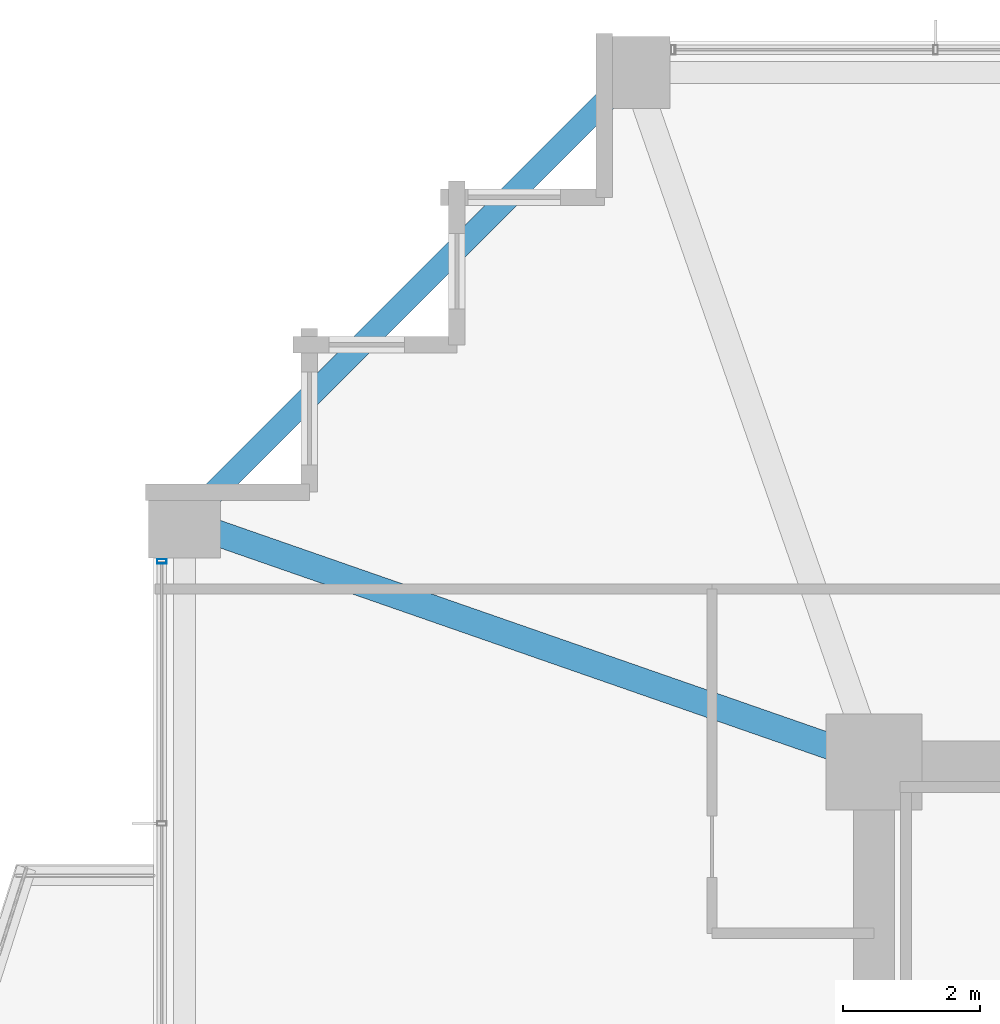
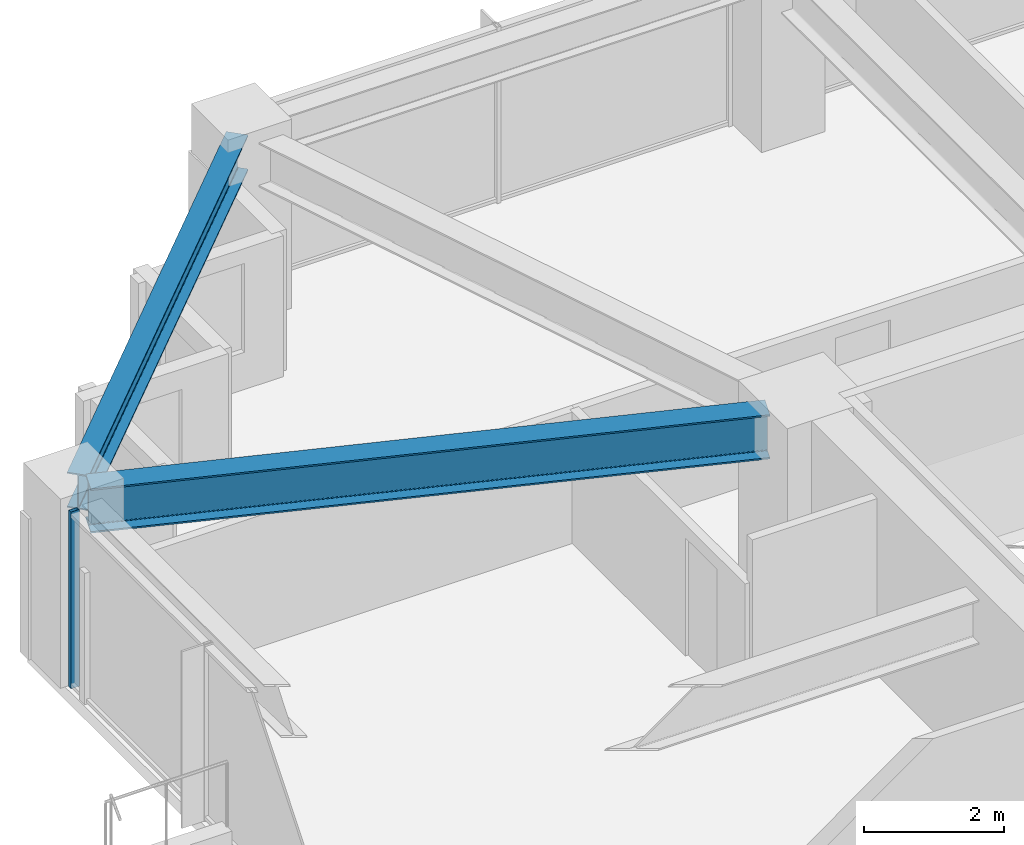
# One storey, part 19 of 36: 2 beams, 1 member, 1 element without a shape of its own.
"""IFC4 building model written with IfcOpenShell, lengths in metres."""

from ifc_helpers import new_model, si_unit, direction, frame, origin, origin_2d, place, context, subcontext, project, spatial, hollow_rectangle, i_section, extrude, material, material_profile, profile_set, type_object, element, aggregate, save


model = new_model("IFC4")

# Units and contexts
model_context = context("Model", 3, precision=1e-05, world=origin(), true_north=direction((0.0, 1.0)))
body_context = subcontext(model_context, "Body", "Model", "MODEL_VIEW")
ifc_project = project(units=[si_unit("LENGTHUNIT", "METRE"), si_unit("AREAUNIT", "SQUARE_METRE"), si_unit("VOLUMEUNIT", "CUBIC_METRE"), si_unit("PLANEANGLEUNIT", "RADIAN"), si_unit("MASSUNIT", "GRAM", prefix="KILO")], contexts=[model_context])

# Site, building, storey
site_placement = place(None, origin())
site = spatial("IfcSite", under=ifc_project, at=site_placement, CompositionType="ELEMENT")
building_placement = place(site_placement, origin())
building = spatial("IfcBuilding", under=site, at=building_placement, Name="Kolvaren Belvedere", CompositionType="ELEMENT")
storey_placement = place(building_placement, frame((0.0, 0.0, 88.699951171875)))
storey = spatial("IfcBuildingStorey", under=building, at=storey_placement, Name="L25", CompositionType="ELEMENT", Elevation=88.699951171875)

# Beams
ifc_material_1 = material(Name="Structural steel ASTM A992 Grade 50", Category="steel")
ifc_material_profile_1 = material_profile(ifc_material_1, i_section(OverallWidth=0.381103515625, OverallDepth=0.77294921875, WebThickness=0.0166015625, FlangeThickness=0.027099609375, FilletRadius=0.02392578125, at=origin_2d()), Name="W30X173")
ifc_profile_set_1 = profile_set([ifc_material_profile_1], Name="Structural steel ASTM A992 Grade 50")
beam_type_1 = type_object("IfcBeamType", Name="BM-GIRD-W30X173", PredefinedType="BEAM", material=ifc_profile_set_1)
beam_1_placement = place(storey_placement, frame((-10.41943359375, 10.080810546875, 2.693603515625), z_axis=(-0.944371408538, 0.328880894453, 0.0), x_axis=(-0.328880894453, -0.944371408538, 0.0)))
element("IfcBeam", 1, at=beam_1_placement, inside=storey, type_object=beam_type_1, Name="L25 Corner Core-to-Perimeter Girder CC4-W4", PredefinedType="BEAM", context=body_context, shape_type="SweptSolid", body=[
    extrude(i_section(OverallWidth=0.381103515625, OverallDepth=0.77294921875, WebThickness=0.0166015625, FlangeThickness=0.027099609375, FilletRadius=0.02392578125, at=origin_2d()), origin(), (0.0, 0.0, 1.0), 9.882080078125),
])
ifc_material_2 = material(Name="Structural steel ASTM A992 Grade 50", Category="steel")
ifc_material_profile_2 = material_profile(ifc_material_2, i_section(OverallWidth=0.324951171875, OverallDepth=0.615966796875, WebThickness=0.013916015625, FlangeThickness=0.021484375, FilletRadius=0.02001953125, at=origin_2d()), Name="W24X117")
ifc_profile_set_2 = profile_set([ifc_material_profile_2], Name="Structural steel ASTM A992 Grade 50")
beam_type_2 = type_object("IfcBeamType", Name="BM-SPAN-W24X117", PredefinedType="SPANDREL", material=ifc_profile_set_2)
beam_2_placement = place(storey_placement, frame((-13.567138671875, 19.782958984375, 2.77197265625), z_axis=(-0.707106781187, -0.707106781187, 0.0), x_axis=(0.707106781187, -0.707106781187, 0.0)))
element("IfcBeam", 2, at=beam_2_placement, inside=storey, type_object=beam_type_2, Name="L25 Perimeter Spandrel N1-W4", PredefinedType="SPANDREL", context=body_context, shape_type="SweptSolid", body=[
    extrude(i_section(OverallWidth=0.324951171875, OverallDepth=0.615966796875, WebThickness=0.013916015625, FlangeThickness=0.021484375, FilletRadius=0.02001953125, at=origin_2d()), origin(), (0.0, 0.0, 1.0), 8.79052734375),
])

# Curtain wall, member
ifc_material_3 = material(Name="Anodised pale-metal aluminium AA 6063-T6", Category="aluminium")
curtain_wall_type = type_object("IfcCurtainWallType", Name="CW-Z2-MID", PredefinedType="NOTDEFINED", material=ifc_material_3)
curtain_wall_placement = place(storey_placement, origin())
curtain_wall = element("IfcCurtainWall", 3, at=curtain_wall_placement, inside=storey, type_object=curtain_wall_type, Name="L25 Unitised Curtain Wall FCW-L25-W2-B2", PredefinedType="NOTDEFINED")
ifc_material_4 = material(Name="Anodised pale-metal aluminium AA 6063-T6", Category="aluminium")
ifc_material_profile_3 = material_profile(ifc_material_4, hollow_rectangle(XDim=0.06494140625, YDim=0.139892578125, WallThickness=0.00390625, at=origin_2d()), Name="ALU-MUL-140X65")
ifc_profile_set_3 = profile_set([ifc_material_profile_3], Name="Anodised pale-metal aluminium AA 6063-T6")
member_type = type_object("IfcMemberType", Name="CW-MUL-140", PredefinedType="MULLION", material=ifc_profile_set_3)
member_placement = place(storey_placement, frame((-20.280029296875, 12.822509765625, 0.0), z_axis=(0.0, 0.0, 1.0), x_axis=(0.0, 1.0, 0.0)))
member = element("IfcMember", 4, at=member_placement, type_object=member_type, Name="FCW-L25-W2-B2 Unitised Mullion 3", PredefinedType="MULLION", context=body_context, shape_type="SweptSolid", body=[
    extrude(hollow_rectangle(XDim=0.06494140625, YDim=0.139892578125, WallThickness=0.00390625, at=origin_2d()), origin(), (0.0, 0.0, 1.0), 3.080078125),
])
aggregate(curtain_wall, [member])

save(model, "model.ifc")
